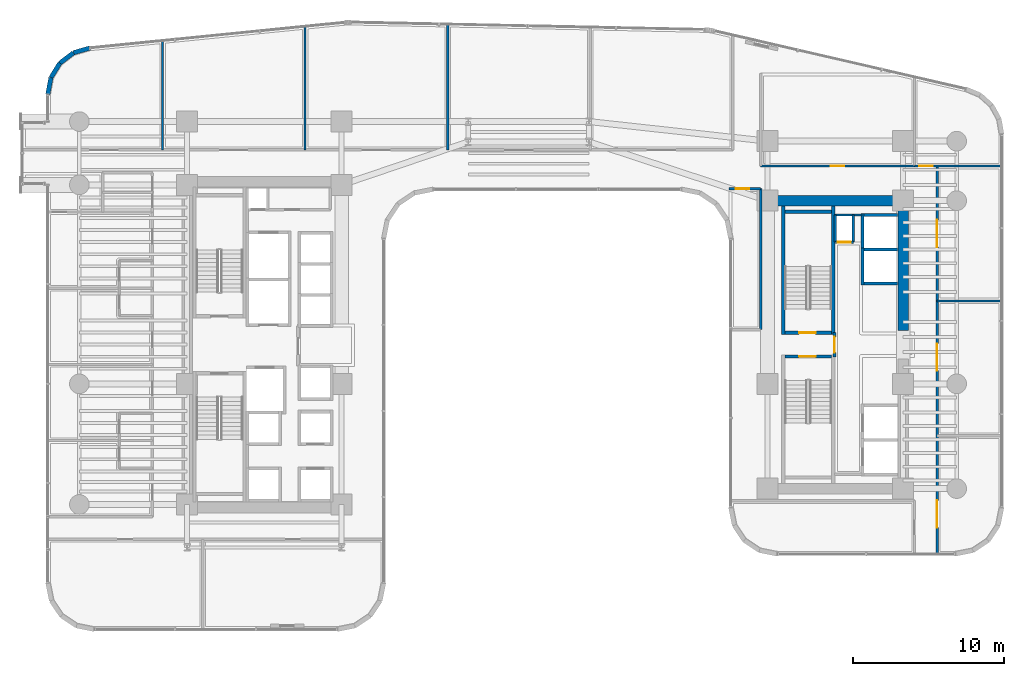
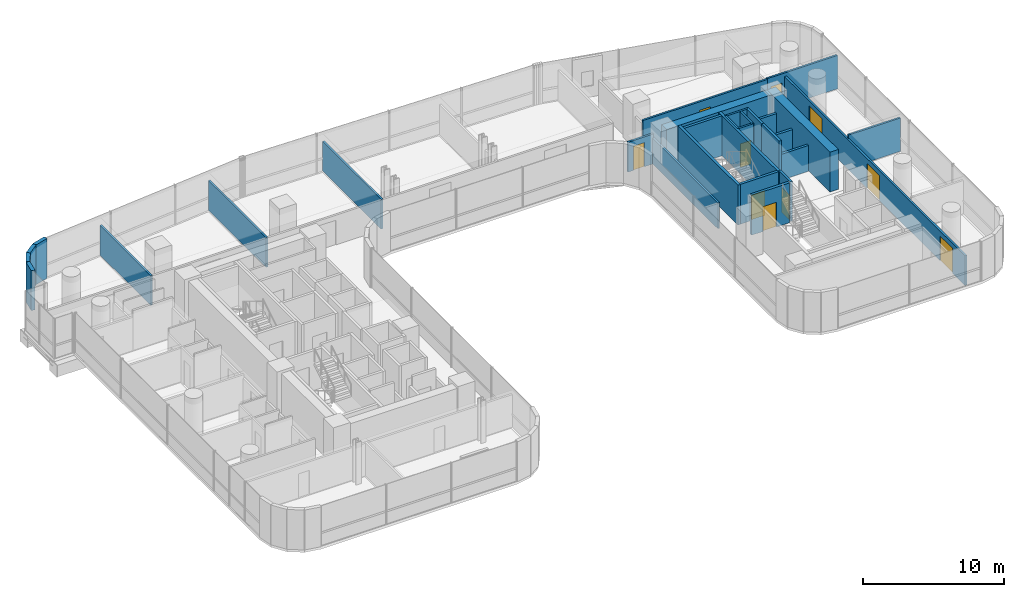
# One storey, part 34 of 40: 30 walls, 10 doors, 10 openings.
"""IFC4 building model written with IfcOpenShell, lengths in metres."""

from ifc_helpers import new_model, si_unit, direction, frame, frame_2d, origin, place, context, subcontext, project, spatial, rectangle, extrude, material, layer, layer_set, type_object, element, fill, save


model = new_model("IFC4")

# Units and contexts
model_context = context("Model", 3, precision=1e-05, world=origin(), true_north=direction((0.0, 1.0)))
body_context = subcontext(model_context, "Body", "Model", "MODEL_VIEW")
ifc_project = project(units=[si_unit("LENGTHUNIT", "METRE"), si_unit("AREAUNIT", "SQUARE_METRE"), si_unit("VOLUMEUNIT", "CUBIC_METRE"), si_unit("PLANEANGLEUNIT", "RADIAN"), si_unit("MASSUNIT", "GRAM", prefix="KILO")], contexts=[model_context])

# Site, building, storey
site_placement = place(None, origin())
site = spatial("IfcSite", under=ifc_project, at=site_placement, CompositionType="ELEMENT")
building_placement = place(site_placement, origin())
building = spatial("IfcBuilding", under=site, at=building_placement, Name="Valdorenza Pilgrim Sanctuary Tower", CompositionType="ELEMENT")
storey_placement = place(building_placement, frame((0.0, 0.0, 81.5)))
storey = spatial("IfcBuildingStorey", under=building, at=storey_placement, Name="L20", CompositionType="ELEMENT", Elevation=81.5)

# Wall, opening, door
ifc_material_1 = material(Name="Acoustic twin-stud gypsum partition", Category="gypsum")
ifc_layer_1 = layer(ifc_material_1, 0.159912109375, Name="Acoustic twin-stud gypsum partition")
ifc_layer_set_1 = layer_set([ifc_layer_1], Name="Acoustic twin-stud gypsum partition")
wall_type_1 = type_object("IfcWallType", Name="WAL-COR-160", PredefinedType="PARTITIONING", material=ifc_layer_set_1)
wall_1_placement = place(storey_placement, frame((20.35009765625, 6.800048828125, 0.0), z_axis=(0.0, 0.0, 1.0), x_axis=(1.0, 0.0, 0.0)))
wall_1 = element("IfcWall", 1, at=wall_1_placement, inside=storey, type_object=wall_type_1, Name="L20 Core B Riser South Wall", PredefinedType="PARTITIONING", context=body_context, shape_type="SweptSolid", body=[
    extrude(rectangle(XDim=1.199951171875, YDim=0.159912109375, at=frame_2d((0.60009765625, 0.0))), origin(), (0.0, 0.0, 1.0), 3.4599609375),
])
opening_1_placement = place(wall_1_placement, frame((0.175048828125, 0.0, 0.0)))
opening_1 = element("IfcOpeningElement", 2, at=opening_1_placement, cuts=wall_1, Name="Opening DR-RS1", PredefinedType="OPENING", context=body_context, shape_type="SweptSolid", body=[
    extrude(rectangle(XDim=0.85009765625, YDim=2.050048828125, at=frame_2d((0.425048828125, 1.02490234375))), frame((0.0, 0.0947265625, 0.0), z_axis=(0.0, -1.0, 0.0), x_axis=(1.0, 0.0, 0.0)), (0.0, 0.0, 1.0), 0.189697265625),
])
ifc_material_2 = material(Name="Painted galvanized steel", Category="steel")
door_type_1 = type_object("IfcDoorType", Name="DR-RSR-850", OperationType="NOTDEFINED", PredefinedType="DOOR", material=ifc_material_2)
door_1_placement = place(opening_1_placement, origin())
door_1 = element("IfcDoor", 3, at=door_1_placement, inside=storey, type_object=door_type_1, Name="L20 Core B Electrical Riser Door", OperationType="SINGLE_SWING_RIGHT", OverallHeight=2.050048828125, OverallWidth=0.85009765625, PredefinedType="DOOR", context=body_context, shape_type="SweptSolid", body=[
    extrude(rectangle(XDim=0.85009765625, YDim=2.050048828125, at=frame_2d((0.425048828125, 1.02490234375))), frame((0.0, 0.02490234375, 0.0), z_axis=(0.0, -1.0, 0.0), x_axis=(1.0, 0.0, 0.0)), (0.0, 0.0, 1.0), 0.050048828125),
])
fill(opening_1, door_1)

# Walls
for number, where, z_axis, x_axis, name in (
    (4, (21.550048828125, 6.800048828125, 0.0), (0.0, 0.0, 1.0), (0.0, 1.0, 0.0), "L20 Core B Riser East Wall"),
    (5, (20.35009765625, 6.800048828125, 0.0), (0.0, 0.0, 1.0), (0.0, 1.0, 0.0), "L20 Core B Riser West Wall"),
):
    element("IfcWall", number, at=place(storey_placement, frame(where, z_axis=z_axis, x_axis=x_axis)), inside=storey, type_object=wall_type_1, Name=name, PredefinedType="PARTITIONING", context=body_context, shape_type="SweptSolid", body=[
        extrude(rectangle(XDim=1.800048828125, YDim=0.159912109375, at=frame_2d((0.89990234375, 0.0))), origin(), (0.0, 0.0, 1.0), 3.4599609375),
    ])
wall_2_placement = place(storey_placement, frame((20.300048828125, 8.60009765625, 0.0), z_axis=(0.0, 0.0, 1.0), x_axis=(1.0, 0.0, 0.0)))
element("IfcWall", 6, at=wall_2_placement, inside=storey, type_object=wall_type_1, Name="L20 Core B Lift Hall North End Wall", PredefinedType="PARTITIONING", context=body_context, shape_type="SweptSolid", body=[
    extrude(rectangle(XDim=1.820068359375, YDim=0.159912109375, at=frame_2d((0.91015625, 0.0))), origin(), (0.0, 0.0, 1.0), 3.4599609375),
])

# Wall, opening, door
wall_3_placement = place(storey_placement, frame((15.39990234375, 11.85009765625, 0.0), z_axis=(0.0, 0.0, 1.0), x_axis=(1.0, 0.0, 0.0)))
wall_3 = element("IfcWall", 7, at=wall_3_placement, inside=storey, type_object=wall_type_1, Name="L20 Wing B North Corridor Wall", PredefinedType="PARTITIONING", context=body_context, shape_type="SweptSolid", body=[
    extrude(rectangle(XDim=10.2001953125, YDim=0.159912109375, at=frame_2d((5.10009765625, 0.0))), origin(), (0.0, 0.0, 1.0), 2.833984375),
])
opening_2_placement = place(wall_3_placement, frame((4.64990234375, 0.0, 0.0)))
opening_2 = element("IfcOpeningElement", 8, at=opening_2_placement, cuts=wall_3, Name="Opening DR-RM1", PredefinedType="OPENING", context=body_context, shape_type="SweptSolid", body=[
    extrude(rectangle(XDim=0.89990234375, YDim=2.10009765625, at=frame_2d((0.449951171875, 1.050048828125))), frame((0.0, 0.0947265625, 0.0), z_axis=(0.0, -1.0, 0.0), x_axis=(1.0, 0.0, 0.0)), (0.0, 0.0, 1.0), 0.189697265625),
])
ifc_material_3 = material(Name="Solid-core European oak timber", Category="wood")
door_type_2 = type_object("IfcDoorType", Name="DR-ROOM-900", OperationType="NOTDEFINED", PredefinedType="DOOR", material=ifc_material_3)
door_2_placement = place(opening_2_placement, frame((0.89990234375, 0.0, 0.0), z_axis=(0.0, 0.0, 1.0), x_axis=(-1.0, 0.0, 0.0)))
door_2 = element("IfcDoor", 9, at=door_2_placement, inside=storey, type_object=door_type_2, Name="L20 Curator Research Office L20-BN1 Door", OperationType="SINGLE_SWING_LEFT", OverallHeight=2.10009765625, OverallWidth=0.89990234375, PredefinedType="DOOR", context=body_context, shape_type="SweptSolid", body=[
    extrude(rectangle(XDim=0.89990234375, YDim=2.10009765625, at=frame_2d((0.449951171875, 1.050048828125))), frame((0.0, 0.02490234375, 0.0), z_axis=(0.0, -1.0, 0.0), x_axis=(1.0, 0.0, 0.0)), (0.0, 0.0, 1.0), 0.050048828125),
])
fill(opening_2, door_2)

# Wall, openings, doors
wall_4_placement = place(storey_placement, frame((27.10009765625, -13.889892578125, 0.0), z_axis=(0.0, 0.0, 1.0), x_axis=(0.0, 1.0, 0.0)))
wall_4 = element("IfcWall", 10, at=wall_4_placement, inside=storey, type_object=wall_type_1, Name="L20 Wing B East Corridor Wall", PredefinedType="PARTITIONING", context=body_context, shape_type="SweptSolid", body=[
    extrude(rectangle(XDim=25.739990234375, YDim=0.159912109375, at=frame_2d((12.8701171875, 0.0))), origin(), (0.0, 0.0, 1.0), 2.5830078125),
])
opening_3_placement = place(wall_4_placement, frame((1.760009765625, 0.0, 0.0)))
opening_3 = element("IfcOpeningElement", 11, at=opening_3_placement, cuts=wall_4, Name="Opening DR-HL1", PredefinedType="OPENING", context=body_context, shape_type="SweptSolid", body=[
    extrude(rectangle(XDim=1.800048828125, YDim=2.14990234375, at=frame_2d((0.89990234375, 1.074951171875))), frame((0.0, 0.0947265625, 0.0), z_axis=(0.0, -1.0, 0.0), x_axis=(1.0, 0.0, 0.0)), (0.0, 0.0, 1.0), 0.189697265625),
])
opening_4_placement = place(wall_4_placement, frame((12.159912109375, 0.0, 0.0)))
opening_4 = element("IfcOpeningElement", 12, at=opening_4_placement, cuts=wall_4, Name="Opening DR-HL1", PredefinedType="OPENING", context=body_context, shape_type="SweptSolid", body=[
    extrude(rectangle(XDim=1.800048828125, YDim=2.14990234375, at=frame_2d((0.89990234375, 1.074951171875))), frame((0.0, 0.0947265625, 0.0), z_axis=(0.0, -1.0, 0.0), x_axis=(1.0, 0.0, 0.0)), (0.0, 0.0, 1.0), 0.189697265625),
])
opening_5_placement = place(wall_4_placement, frame((20.364990234375, 0.0, 0.0)))
opening_5 = element("IfcOpeningElement", 13, at=opening_5_placement, cuts=wall_4, Name="Opening DR-HL1", PredefinedType="OPENING", context=body_context, shape_type="SweptSolid", body=[
    extrude(rectangle(XDim=1.800048828125, YDim=2.14990234375, at=frame_2d((0.89990234375, 1.074951171875))), frame((0.0, 0.0947265625, 0.0), z_axis=(0.0, -1.0, 0.0), x_axis=(1.0, 0.0, 0.0)), (0.0, 0.0, 1.0), 0.189697265625),
])
ifc_material_4 = material(Name="Acoustic oak and vision-glass double door", Category="glass")
door_type_3 = type_object("IfcDoorType", Name="DR-HALL-1800", OperationType="NOTDEFINED", PredefinedType="DOOR", material=ifc_material_4)
door_3_placement = place(opening_3_placement, origin())
door_3 = element("IfcDoor", 14, at=door_3_placement, inside=storey, type_object=door_type_3, Name="L20 East Reading Lounge L20-EB1 Door", OperationType="DOUBLE_DOOR_SINGLE_SWING", OverallHeight=2.14990234375, OverallWidth=1.800048828125, PredefinedType="DOOR", context=body_context, shape_type="SweptSolid", body=[
    extrude(rectangle(XDim=1.800048828125, YDim=2.14990234375, at=frame_2d((0.89990234375, 1.074951171875))), frame((0.0, 0.02490234375, 0.0), z_axis=(0.0, -1.0, 0.0), x_axis=(1.0, 0.0, 0.0)), (0.0, 0.0, 1.0), 0.050048828125),
])
fill(opening_3, door_3)
door_4_placement = place(opening_4_placement, frame((1.800048828125, 0.0, 0.0), z_axis=(0.0, 0.0, 1.0), x_axis=(-1.0, 0.0, 0.0)))
door_4 = element("IfcDoor", 15, at=door_4_placement, inside=storey, type_object=door_type_3, Name="L20 East Reading Lounge L20-EB2 Door", OperationType="DOUBLE_DOOR_SINGLE_SWING", OverallHeight=2.14990234375, OverallWidth=1.800048828125, PredefinedType="DOOR", context=body_context, shape_type="SweptSolid", body=[
    extrude(rectangle(XDim=1.800048828125, YDim=2.14990234375, at=frame_2d((0.89990234375, 1.074951171875))), frame((0.0, 0.02490234375, 0.0), z_axis=(0.0, -1.0, 0.0), x_axis=(1.0, 0.0, 0.0)), (0.0, 0.0, 1.0), 0.050048828125),
])
fill(opening_4, door_4)
door_5_placement = place(opening_5_placement, origin())
door_5 = element("IfcDoor", 16, at=door_5_placement, inside=storey, type_object=door_type_3, Name="L20 East Reading Lounge L20-EB3 Door", OperationType="DOUBLE_DOOR_SINGLE_SWING", OverallHeight=2.14990234375, OverallWidth=1.800048828125, PredefinedType="DOOR", context=body_context, shape_type="SweptSolid", body=[
    extrude(rectangle(XDim=1.800048828125, YDim=2.14990234375, at=frame_2d((0.89990234375, 1.074951171875))), frame((0.0, 0.02490234375, 0.0), z_axis=(0.0, -1.0, 0.0), x_axis=(1.0, 0.0, 0.0)), (0.0, 0.0, 1.0), 0.050048828125),
])
fill(opening_5, door_5)

# Wall, opening, door
wall_5_placement = place(storey_placement, frame((25.60009765625, 11.85009765625, 0.0), z_axis=(0.0, 0.0, 1.0), x_axis=(1.0, 0.0, 0.0)))
wall_5 = element("IfcWall", 17, at=wall_5_placement, inside=storey, type_object=wall_type_1, Name="L20 East Wing NE Corner South Wall", PredefinedType="PARTITIONING", context=body_context, shape_type="SweptSolid", body=[
    extrude(rectangle(XDim=5.789794921875, YDim=0.159912109375, at=frame_2d((2.89501953125, 0.0))), origin(), (0.0, 0.0, 1.0), 2.89599609375),
])
opening_6_placement = place(wall_5_placement, frame((0.300048828125, 0.0, 0.0)))
opening_6 = element("IfcOpeningElement", 18, at=opening_6_placement, cuts=wall_5, Name="Opening DR-RM1", PredefinedType="OPENING", context=body_context, shape_type="SweptSolid", body=[
    extrude(rectangle(XDim=0.89990234375, YDim=2.10009765625, at=frame_2d((0.449951171875, 1.050048828125))), frame((0.0, 0.0947265625, 0.0), z_axis=(0.0, -1.0, 0.0), x_axis=(1.0, 0.0, 0.0)), (0.0, 0.0, 1.0), 0.189697265625),
])
door_6_placement = place(opening_6_placement, origin())
door_6 = element("IfcDoor", 19, at=door_6_placement, inside=storey, type_object=door_type_2, Name="L20 East North Alcove Office L20 Door", OperationType="SINGLE_SWING_LEFT", OverallHeight=2.10009765625, OverallWidth=0.89990234375, PredefinedType="DOOR", context=body_context, shape_type="SweptSolid", body=[
    extrude(rectangle(XDim=0.89990234375, YDim=2.10009765625, at=frame_2d((0.449951171875, 1.050048828125))), frame((0.0, 0.02490234375, 0.0), z_axis=(0.0, -1.0, 0.0), x_axis=(1.0, 0.0, 0.0)), (0.0, 0.0, 1.0), 0.050048828125),
])
fill(opening_6, door_6)

wall_6_placement = place(storey_placement, frame((13.300048828125, 10.35009765625, 0.0), z_axis=(0.0, 0.0, 1.0), x_axis=(1.0, 0.0, 0.0)))
wall_6 = element("IfcWall", 20, at=wall_6_placement, inside=storey, type_object=wall_type_1, Name="L20 Courtyard Overlook North Wall", PredefinedType="PARTITIONING", context=body_context, shape_type="SweptSolid", body=[
    extrude(rectangle(XDim=2.099853515625, YDim=0.159912109375, at=frame_2d((1.0498046875, 0.0))), origin(), (0.0, 0.0, 1.0), 2.5830078125),
])
opening_7_placement = place(wall_6_placement, frame((0.449951171875, 0.0, 0.0)))
opening_7 = element("IfcOpeningElement", 21, at=opening_7_placement, cuts=wall_6, Name="Opening DR-RM1", PredefinedType="OPENING", context=body_context, shape_type="SweptSolid", body=[
    extrude(rectangle(XDim=0.89990234375, YDim=2.10009765625, at=frame_2d((0.449951171875, 1.050048828125))), frame((0.0, 0.0947265625, 0.0), z_axis=(0.0, -1.0, 0.0), x_axis=(1.0, 0.0, 0.0)), (0.0, 0.0, 1.0), 0.189697265625),
])
door_7_placement = place(opening_7_placement, origin())
door_7 = element("IfcDoor", 22, at=door_7_placement, inside=storey, type_object=door_type_2, Name="L20 Courtyard Overlook Salon Door", OperationType="SINGLE_SWING_LEFT", OverallHeight=2.10009765625, OverallWidth=0.89990234375, PredefinedType="DOOR", context=body_context, shape_type="SweptSolid", body=[
    extrude(rectangle(XDim=0.89990234375, YDim=2.10009765625, at=frame_2d((0.449951171875, 1.050048828125))), frame((0.0, 0.02490234375, 0.0), z_axis=(0.0, -1.0, 0.0), x_axis=(1.0, 0.0, 0.0)), (0.0, 0.0, 1.0), 0.050048828125),
])
fill(opening_7, door_7)

# Walls
wall_7_placement = place(storey_placement, frame((15.39990234375, 1.0, 0.0), z_axis=(0.0, 0.0, 1.0), x_axis=(0.0, 1.0, 0.0)))
element("IfcWall", 23, at=wall_7_placement, inside=storey, type_object=wall_type_1, Name="L20 Courtyard Overlook East Wall", PredefinedType="PARTITIONING", context=body_context, shape_type="SweptSolid", body=[
    extrude(rectangle(XDim=9.35009765625, YDim=0.159912109375, at=frame_2d((4.675048828125, 0.0))), origin(), (0.0, 0.0, 1.0), 2.2451171875),
])
ifc_material_5 = material(Name="Concrete C60/75", Category="concrete")
ifc_layer_2 = layer(ifc_material_5, 0.699951171875, Name="Concrete C60/75")
ifc_layer_set_2 = layer_set([ifc_layer_2], Name="Concrete C60/75")
wall_type_2 = type_object("IfcWallType", Name="WAL-COR-700", PredefinedType="SHEAR", material=ifc_layer_set_2)
wall_8_placement = place(storey_placement, frame((24.85009765625, 0.949951171875, 0.0), z_axis=(0.0, 0.0, 1.0), x_axis=(0.0, 1.0, 0.0)))
element("IfcWall", 24, at=wall_8_placement, inside=storey, type_object=wall_type_2, Name="L20 Split Core B Shear Wall EN", PredefinedType="SHEAR", context=body_context, shape_type="SweptSolid", body=[
    extrude(rectangle(XDim=8.949951171875, YDim=0.699951171875, at=frame_2d((4.47509765625, 0.0))), origin(), (0.0, 0.0, 1.0), 3.4599609375),
])
wall_9_placement = place(storey_placement, frame((15.85009765625, 9.550048828125, 0.0), z_axis=(0.0, 0.0, 1.0), x_axis=(1.0, 0.0, 0.0)))
element("IfcWall", 25, at=wall_9_placement, inside=storey, type_object=wall_type_2, Name="L20 Split Core B Shear Wall N", PredefinedType="SHEAR", context=body_context, shape_type="SweptSolid", body=[
    extrude(rectangle(XDim=9.0, YDim=0.699951171875, at=frame_2d((4.5, 0.0))), origin(), (0.0, 0.0, 1.0), 3.4599609375),
])
ifc_material_6 = material(Name="Honed travertine limestone", Category="masonry")
ifc_layer_3 = layer(ifc_material_6, 0.300048828125, Name="Honed travertine limestone")
ifc_layer_set_3 = layer_set([ifc_layer_3], Name="Honed travertine limestone")
wall_type_3 = type_object("IfcWallType", Name="WAL-EXT-300", PredefinedType="SOLIDWALL", material=ifc_layer_set_3)
wall_10_placement = place(storey_placement, frame((-31.889892578125, 16.593994140625, 0.0), z_axis=(0.0, 0.0, 1.0), x_axis=(0.182748995683, 0.9831596028, 0.0)))
element("IfcWall", 26, at=wall_10_placement, inside=storey, type_object=wall_type_3, Name="L20 Rounded Wind-Corner Stone Pier 2", PredefinedType="SOLIDWALL", context=body_context, shape_type="SweptSolid", body=[
    extrude(rectangle(XDim=1.1396484375, YDim=0.300048828125, at=frame_2d((0.56982421875, 0.0))), origin(), (0.0, 0.0, 1.0), 3.4599609375),
])
wall_11_placement = place(storey_placement, frame((-31.681640625, 17.71435546875, 0.0), z_axis=(0.0, 0.0, 1.0), x_axis=(0.524157723014, 0.8516212077, 0.0)))
element("IfcWall", 27, at=wall_11_placement, inside=storey, type_object=wall_type_3, Name="L20 Rounded Wind-Corner Stone Pier 3", PredefinedType="SOLIDWALL", context=body_context, shape_type="SweptSolid", body=[
    extrude(rectangle(XDim=1.12939453125, YDim=0.300048828125, at=frame_2d((0.564697265625, 0.0))), origin(), (0.0, 0.0, 1.0), 3.4599609375),
])
wall_12_placement = place(storey_placement, frame((-31.089599609375, 18.67626953125, 0.0), z_axis=(0.0, 0.0, 1.0), x_axis=(0.795253002434, 0.606277710393, 0.0)))
element("IfcWall", 28, at=wall_12_placement, inside=storey, type_object=wall_type_3, Name="L20 Rounded Wind-Corner Stone Pier 4", PredefinedType="SOLIDWALL", context=body_context, shape_type="SweptSolid", body=[
    extrude(rectangle(XDim=1.129150390625, YDim=0.300048828125, at=frame_2d((0.564453125, 0.0))), origin(), (0.0, 0.0, 1.0), 3.4599609375),
])
wall_13_placement = place(storey_placement, frame((-30.191650390625, 19.36083984375, 0.0), z_axis=(0.0, 0.0, 1.0), x_axis=(0.960071941549, 0.279753225271, 0.0)))
element("IfcWall", 29, at=wall_13_placement, inside=storey, type_object=wall_type_3, Name="L20 Rounded Wind-Corner Stone Pier 5", PredefinedType="SOLIDWALL", context=body_context, shape_type="SweptSolid", body=[
    extrude(rectangle(XDim=1.1396484375, YDim=0.300048828125, at=frame_2d((0.56982421875, 0.0))), origin(), (0.0, 0.0, 1.0), 3.4599609375),
])

# Wall, opening, door
ifc_material_7 = material(Name="Gypsum shaftwall partition", Category="gypsum")
ifc_layer_4 = layer(ifc_material_7, 0.199951171875, Name="Gypsum shaftwall partition")
ifc_layer_set_4 = layer_set([ifc_layer_4], Name="Gypsum shaftwall partition")
wall_type_4 = type_object("IfcWallType", Name="WAL-FFL-200", PredefinedType="PARTITIONING", material=ifc_layer_set_4)
wall_14_placement = place(storey_placement, frame((20.300048828125, -0.820068359375, 0.0), z_axis=(0.0, 0.0, 1.0), x_axis=(0.0, 1.0, 0.0)))
wall_14 = element("IfcWall", 30, at=wall_14_placement, inside=storey, type_object=wall_type_4, Name="L20 Core B Firefighting Lobby East Wall", PredefinedType="PARTITIONING", context=body_context, shape_type="SweptSolid", body=[
    extrude(rectangle(XDim=1.64013671875, YDim=0.199951171875, at=frame_2d((0.820068359375, 0.0))), origin(), (0.0, 0.0, 1.0), 3.4599609375),
])
opening_8_placement = place(wall_14_placement, frame((0.294921875, 0.0, 0.0)))
opening_8 = element("IfcOpeningElement", 31, at=opening_8_placement, cuts=wall_14, Name="Opening DR-FL1", PredefinedType="OPENING", context=body_context, shape_type="SweptSolid", body=[
    extrude(rectangle(XDim=1.050048828125, YDim=2.14990234375, at=frame_2d((0.52490234375, 1.074951171875))), frame((0.0, 0.11474609375, 0.0), z_axis=(0.0, -1.0, 0.0), x_axis=(1.0, 0.0, 0.0)), (0.0, 0.0, 1.0), 0.229736328125),
])
door_type_4 = type_object("IfcDoorType", Name="DR-FFL-1050", OperationType="NOTDEFINED", PredefinedType="DOOR", material=ifc_material_2)
door_8_placement = place(opening_8_placement, frame((1.050048828125, 0.0, 0.0), z_axis=(0.0, 0.0, 1.0), x_axis=(-1.0, 0.0, 0.0)))
door_8 = element("IfcDoor", 32, at=door_8_placement, inside=storey, type_object=door_type_4, Name="L20 Core B Firefighting Lobby Door", OperationType="SINGLE_SWING_LEFT", OverallHeight=2.14990234375, OverallWidth=1.050048828125, PredefinedType="DOOR", context=body_context, shape_type="SweptSolid", body=[
    extrude(rectangle(XDim=1.050048828125, YDim=2.14990234375, at=frame_2d((0.52490234375, 1.074951171875))), frame((0.0, 0.02490234375, 0.0), z_axis=(0.0, -1.0, 0.0), x_axis=(1.0, 0.0, 0.0)), (0.0, 0.0, 1.0), 0.050048828125),
])
fill(opening_8, door_8)

# Walls
ifc_material_8 = material(Name="Autoclaved aerated concrete blockwork", Category="masonry")
ifc_layer_5 = layer(ifc_material_8, 0.199951171875, Name="Autoclaved aerated concrete blockwork")
ifc_layer_set_5 = layer_set([ifc_layer_5], Name="Autoclaved aerated concrete blockwork")
wall_type_5 = type_object("IfcWallType", Name="WAL-SHF-200", PredefinedType="MOVABLE", material=ifc_layer_set_5)
wall_15_placement = place(storey_placement, frame((22.14990234375, 3.949951171875, 0.0), z_axis=(0.0, 0.0, 1.0), x_axis=(0.0, 1.0, 0.0)))
element("IfcWall", 33, at=wall_15_placement, inside=storey, type_object=wall_type_5, Name="L20 Lift PL-07 Hoistway Wall West", PredefinedType="MOVABLE", context=body_context, shape_type="SweptSolid", body=[
    extrude(rectangle(XDim=2.47509765625, YDim=0.199951171875, at=frame_2d((1.237548828125, 0.0))), origin(), (0.0, 0.0, 1.0), 3.4599609375),
])
for number, where, z_axis, x_axis, name in (
    (34, (22.25, 4.050048828125, 0.0), (0.0, 0.0, 1.0), (1.0, 0.0, 0.0), "L20 Lift PL-07 Hoistway Wall South"),
    (35, (22.25, 6.324951171875, 0.0), (0.0, 0.0, 1.0), (1.0, 0.0, 0.0), "L20 Lift PL-07 Hoistway Wall North"),
):
    element("IfcWall", number, at=place(storey_placement, frame(where, z_axis=z_axis, x_axis=x_axis)), inside=storey, type_object=wall_type_5, Name=name, PredefinedType="MOVABLE", context=body_context, shape_type="SweptSolid", body=[
        extrude(rectangle(XDim=2.22998046875, YDim=0.199951171875, at=frame_2d((1.114990234375, 0.0))), origin(), (0.0, 0.0, 1.0), 2.2451171875),
    ])
wall_16_placement = place(storey_placement, frame((22.14990234375, 6.22509765625, 0.0), z_axis=(0.0, 0.0, 1.0), x_axis=(0.0, 1.0, 0.0)))
element("IfcWall", 36, at=wall_16_placement, inside=storey, type_object=wall_type_5, Name="L20 Lift PL-08 Hoistway Wall West", PredefinedType="MOVABLE", context=body_context, shape_type="SweptSolid", body=[
    extrude(rectangle(XDim=2.474853515625, YDim=0.199951171875, at=frame_2d((1.2373046875, 0.0))), origin(), (0.0, 0.0, 1.0), 3.4599609375),
])
wall_17_placement = place(storey_placement, frame((22.25, 8.60009765625, 0.0), z_axis=(0.0, 0.0, 1.0), x_axis=(1.0, 0.0, 0.0)))
element("IfcWall", 37, at=wall_17_placement, inside=storey, type_object=wall_type_5, Name="L20 Lift PL-08 Hoistway Wall North", PredefinedType="MOVABLE", context=body_context, shape_type="SweptSolid", body=[
    extrude(rectangle(XDim=2.22998046875, YDim=0.199951171875, at=frame_2d((1.114990234375, 0.0))), origin(), (0.0, 0.0, 1.0), 2.2451171875),
])
ifc_material_9 = material(Name="Concrete C40/50", Category="concrete")
ifc_layer_6 = layer(ifc_material_9, 0.219970703125, Name="Concrete C40/50")
ifc_layer_set_6 = layer_set([ifc_layer_6], Name="Concrete C40/50")
wall_type_6 = type_object("IfcWallType", Name="WAL-STR-SHF-220", PredefinedType="SHEAR", material=ifc_layer_set_6)
for number, where, z_axis, x_axis, name in (
    (38, (16.889892578125, 0.679931640625, 0.0), (0.0, 0.0, 1.0), (0.0, 1.0, 0.0), "L20 ST-B1 Structural Stairwell Wall W"),
    (39, (20.219970703125, 0.679931640625, 0.0), (0.0, 0.0, 1.0), (0.0, 1.0, 0.0), "L20 ST-B1 Structural Stairwell Wall E"),
):
    element("IfcWall", number, at=place(storey_placement, frame(where, z_axis=z_axis, x_axis=x_axis)), inside=storey, type_object=wall_type_6, Name=name, PredefinedType="SHEAR", context=body_context, shape_type="SweptSolid", body=[
        extrude(rectangle(XDim=8.52001953125, YDim=0.219970703125, at=frame_2d((4.260009765625, 0.0))), origin(), (0.0, 0.0, 1.0), 3.4599609375),
    ])

# Wall, opening, door
wall_18_placement = place(storey_placement, frame((17.0, 0.7900390625, 0.0), z_axis=(0.0, 0.0, 1.0), x_axis=(1.0, 0.0, 0.0)))
wall_18 = element("IfcWall", 40, at=wall_18_placement, inside=storey, type_object=wall_type_6, Name="L20 ST-B1 Structural Stairwell Wall S", PredefinedType="SHEAR", context=body_context, shape_type="SweptSolid", body=[
    extrude(rectangle(XDim=3.110107421875, YDim=0.219970703125, at=frame_2d((1.55517578125, 0.0))), origin(), (0.0, 0.0, 1.0), 3.4599609375),
])
opening_9_placement = place(wall_18_placement, frame((0.949951171875, 0.0, 0.0)))
opening_9 = element("IfcOpeningElement", 41, at=opening_9_placement, cuts=wall_18, Name="Opening DR-ST1", PredefinedType="OPENING", context=body_context, shape_type="SweptSolid", body=[
    extrude(rectangle(XDim=1.10009765625, YDim=2.14990234375, at=frame_2d((0.550048828125, 1.074951171875))), frame((0.0, 0.125, 0.0), z_axis=(0.0, -1.0, 0.0), x_axis=(1.0, 0.0, 0.0)), (0.0, 0.0, 1.0), 0.249755859375),
])
door_type_5 = type_object("IfcDoorType", Name="DR-STAIR-1100", OperationType="NOTDEFINED", PredefinedType="DOOR", material=ifc_material_2)
door_9_placement = place(opening_9_placement, origin())
door_9 = element("IfcDoor", 42, at=door_9_placement, inside=storey, type_object=door_type_5, Name="L20 Exit Stair ST-B1 Door", OperationType="SINGLE_SWING_RIGHT", OverallHeight=2.14990234375, OverallWidth=1.10009765625, PredefinedType="DOOR", context=body_context, shape_type="SweptSolid", body=[
    extrude(rectangle(XDim=1.10009765625, YDim=2.14990234375, at=frame_2d((0.550048828125, 1.074951171875))), frame((0.0, 0.02490234375, 0.0), z_axis=(0.0, -1.0, 0.0), x_axis=(1.0, 0.0, 0.0)), (0.0, 0.0, 1.0), 0.050048828125),
])
fill(opening_9, door_9)

# Wall
wall_19_placement = place(storey_placement, frame((17.0, 8.81005859375, 0.0), z_axis=(0.0, 0.0, 1.0), x_axis=(1.0, 0.0, 0.0)))
element("IfcWall", 43, at=wall_19_placement, inside=storey, type_object=wall_type_6, Name="L20 ST-B1 Structural Stairwell Wall N", PredefinedType="SHEAR", context=body_context, shape_type="SweptSolid", body=[
    extrude(rectangle(XDim=3.110107421875, YDim=0.219970703125, at=frame_2d((1.55517578125, 0.0))), origin(), (0.0, 0.0, 1.0), 3.4599609375),
])

# Wall, opening, door
wall_20_placement = place(storey_placement, frame((17.0, -0.7900390625, 0.0), z_axis=(0.0, 0.0, 1.0), x_axis=(1.0, 0.0, 0.0)))
wall_20 = element("IfcWall", 44, at=wall_20_placement, inside=storey, type_object=wall_type_6, Name="L20 ST-B2 Structural Stairwell Wall N", PredefinedType="SHEAR", context=body_context, shape_type="SweptSolid", body=[
    extrude(rectangle(XDim=3.110107421875, YDim=0.219970703125, at=frame_2d((1.55517578125, 0.0))), origin(), (0.0, 0.0, 1.0), 3.4599609375),
])
opening_10_placement = place(wall_20_placement, frame((0.949951171875, 0.0, 0.0)))
opening_10 = element("IfcOpeningElement", 45, at=opening_10_placement, cuts=wall_20, Name="Opening DR-ST1", PredefinedType="OPENING", context=body_context, shape_type="SweptSolid", body=[
    extrude(rectangle(XDim=1.10009765625, YDim=2.14990234375, at=frame_2d((0.550048828125, 1.074951171875))), frame((0.0, 0.125, 0.0), z_axis=(0.0, -1.0, 0.0), x_axis=(1.0, 0.0, 0.0)), (0.0, 0.0, 1.0), 0.249755859375),
])
door_10_placement = place(opening_10_placement, frame((1.10009765625, 0.0, 0.0), z_axis=(0.0, 0.0, 1.0), x_axis=(-1.0, 0.0, 0.0)))
door_10 = element("IfcDoor", 46, at=door_10_placement, inside=storey, type_object=door_type_5, Name="L20 Exit Stair ST-B2 Door", OperationType="SINGLE_SWING_LEFT", OverallHeight=2.14990234375, OverallWidth=1.10009765625, PredefinedType="DOOR", context=body_context, shape_type="SweptSolid", body=[
    extrude(rectangle(XDim=1.10009765625, YDim=2.14990234375, at=frame_2d((0.550048828125, 1.074951171875))), frame((0.0, 0.02490234375, 0.0), z_axis=(0.0, -1.0, 0.0), x_axis=(1.0, 0.0, 0.0)), (0.0, 0.0, 1.0), 0.050048828125),
])
fill(opening_10, door_10)

# Walls
ifc_layer_7 = layer(ifc_material_1, 0.14990234375, Name="Acoustic twin-stud gypsum partition")
ifc_layer_set_7 = layer_set([ifc_layer_7], Name="Acoustic twin-stud gypsum partition")
wall_type_7 = type_object("IfcWallType", Name="WAL-UNT-150", PredefinedType="PARTITIONING", material=ifc_layer_set_7)
wall_21_placement = place(storey_placement, frame((-24.281982421875, 12.919921875, 0.0), z_axis=(0.0, 0.0, 1.0), x_axis=(0.0, 1.0, 0.0)))
element("IfcWall", 47, at=wall_21_placement, inside=storey, type_object=wall_type_7, Name="L20 Theological Seminar Classroom L20-N2 Demising Wall", PredefinedType="PARTITIONING", context=body_context, shape_type="SweptSolid", body=[
    extrude(rectangle(XDim=7.241455078125, YDim=0.14990234375, at=frame_2d((3.62060546875, 0.0))), origin(), (0.0, 0.0, 1.0), 2.5830078125),
])
wall_22_placement = place(storey_placement, frame((-14.823974609375, 12.919921875, 0.0), z_axis=(0.0, 0.0, 1.0), x_axis=(0.0, 1.0, 0.0)))
element("IfcWall", 48, at=wall_22_placement, inside=storey, type_object=wall_type_7, Name="L20 Theological Seminar Classroom L20-N3 Demising Wall", PredefinedType="PARTITIONING", context=body_context, shape_type="SweptSolid", body=[
    extrude(rectangle(XDim=8.187255859375, YDim=0.14990234375, at=frame_2d((4.09375, 0.0))), origin(), (0.0, 0.0, 1.0), 2.5830078125),
])
wall_23_placement = place(storey_placement, frame((-5.365966796875, 12.919921875, 0.0), z_axis=(0.0, 0.0, 1.0), x_axis=(0.0, 1.0, 0.0)))
element("IfcWall", 49, at=wall_23_placement, inside=storey, type_object=wall_type_7, Name="L20 Theological Seminar Classroom L20-N4 Demising Wall", PredefinedType="PARTITIONING", context=body_context, shape_type="SweptSolid", body=[
    extrude(rectangle(XDim=8.331787109375, YDim=0.14990234375, at=frame_2d((4.166015625, 0.0))), origin(), (0.0, 0.0, 1.0), 2.5830078125),
])
wall_24_placement = place(storey_placement, frame((27.10009765625, 2.89990234375, 0.0), z_axis=(0.0, 0.0, 1.0), x_axis=(1.0, 0.0, 0.0)))
element("IfcWall", 50, at=wall_24_placement, inside=storey, type_object=wall_type_7, Name="L20 East Reading Lounge L20-EB3 Demising Wall", PredefinedType="PARTITIONING", context=body_context, shape_type="SweptSolid", body=[
    extrude(rectangle(XDim=4.289794921875, YDim=0.14990234375, at=frame_2d((2.14501953125, 0.0))), origin(), (0.0, 0.0, 1.0), 2.89599609375),
])

save(model, "model.ifc")
